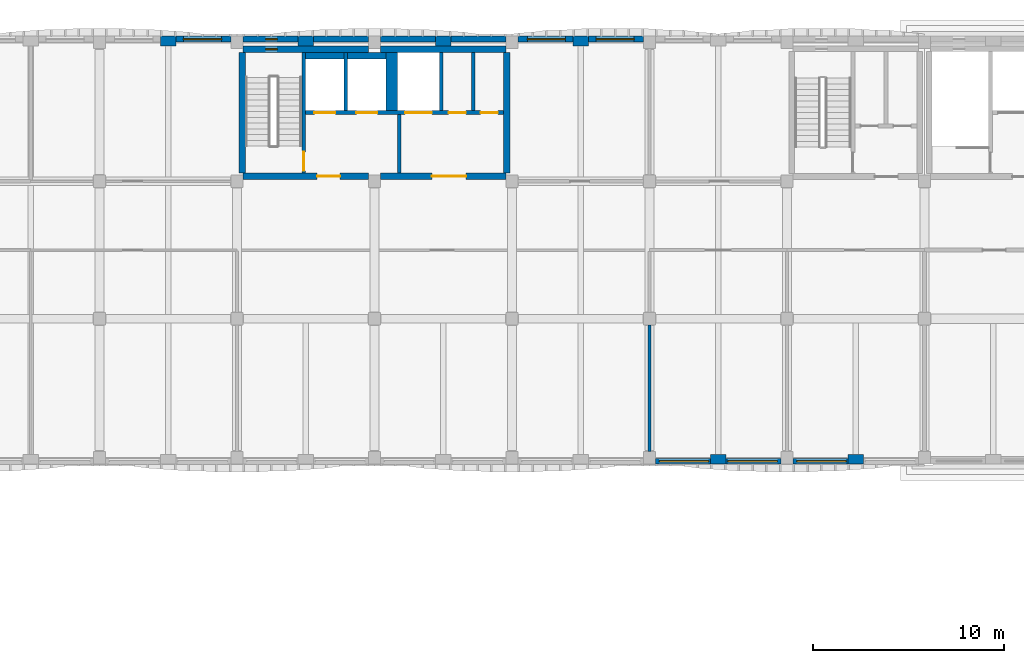
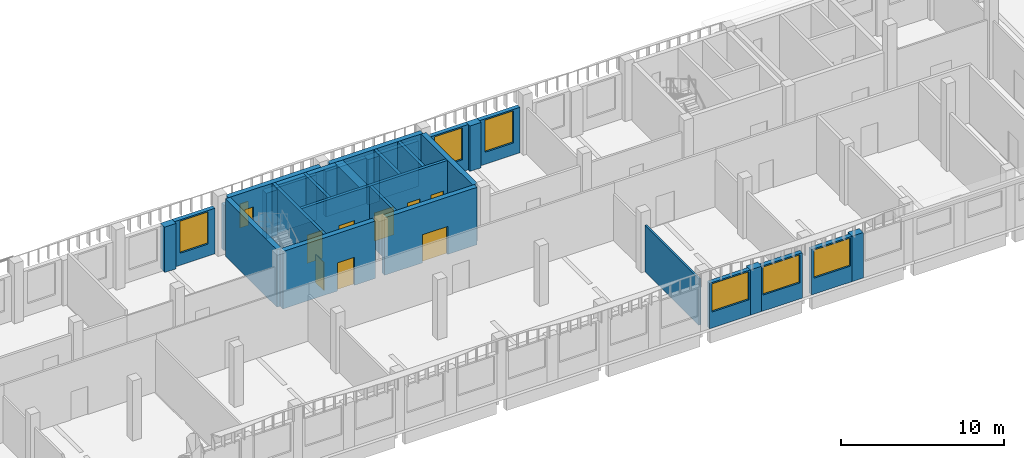
# One storey, part 29 of 58: 32 walls, 8 doors, 8 windows, 16 openings.
"""IFC4 building model written with IfcOpenShell, lengths in metres."""

from ifc_helpers import new_model, si_unit, direction, frame, frame_2d, origin, place, context, subcontext, project, spatial, rectangle, extrude, material, layer, layer_set, type_object, element, fill, save


model = new_model("IFC4")

# Units and contexts
model_context = context("Model", 3, precision=1e-05, world=origin(), true_north=direction((0.0, 1.0)))
body_context = subcontext(model_context, "Body", "Model", "MODEL_VIEW")
ifc_project = project(units=[si_unit("LENGTHUNIT", "METRE"), si_unit("AREAUNIT", "SQUARE_METRE"), si_unit("VOLUMEUNIT", "CUBIC_METRE"), si_unit("PLANEANGLEUNIT", "RADIAN"), si_unit("MASSUNIT", "GRAM", prefix="KILO")], contexts=[model_context])

# Site, building, storey
site_placement = place(None, origin())
site = spatial("IfcSite", under=ifc_project, at=site_placement, CompositionType="ELEMENT")
building_placement = place(site_placement, origin())
building = spatial("IfcBuilding", under=site, at=building_placement, Name="Ussher Court Research Institute", CompositionType="ELEMENT")
storey_placement = place(building_placement, frame((0.0, 0.0, 9.89990234375)))
storey = spatial("IfcBuildingStorey", under=building, at=storey_placement, Name="L02", CompositionType="ELEMENT", Elevation=9.89990234375)

# Wall, opening, window
ifc_material_1 = material(Name="Blockwork with cream render", Category="masonry")
ifc_layer_1 = layer(ifc_material_1, 0.300048828125)
ifc_layer_set_1 = layer_set([ifc_layer_1], Name="Blockwork with cream render")
wall_type_1 = type_object("IfcWallType", Name="External wall 300 cream render", PredefinedType="SOLIDWALL", material=ifc_layer_set_1)
wall_1_placement = place(storey_placement, frame((43.0, 90.64990234375, 0.0), z_axis=(0.0, 0.0, 1.0), x_axis=(1.0, 0.0, 0.0)))
wall_1 = element("IfcWall", 1, at=wall_1_placement, inside=storey, type_object=wall_type_1, Name="External wall EW1 L02", PredefinedType="SOLIDWALL", context=body_context, shape_type="SweptSolid", body=[
    extrude(rectangle(XDim=2.875, YDim=0.300048828125, at=frame_2d((1.4375, 0.0))), origin(), (0.0, 0.0, 1.0), 3.400146484375),
])
opening_1_placement = place(wall_1_placement, frame((0.39990234375, 0.0, 0.89990234375)))
opening_1 = element("IfcOpeningElement", 2, at=opening_1_placement, cuts=wall_1, Name="Opening W14", PredefinedType="OPENING", context=body_context, shape_type="SweptSolid", body=[
    extrude(rectangle(XDim=2.0, YDim=2.39990234375, at=frame_2d((1.0, 1.199951171875))), frame((0.0, 0.16015625, 0.0), z_axis=(0.0, -1.0, 0.0), x_axis=(1.0, 0.0, 0.0)), (0.0, 0.0, 1.0), 0.320068359375),
])
ifc_material_2 = material(Name="Bronze anodised aluminium with double glazing", Category="aluminium")
window_type_1 = type_object("IfcWindowType", Name="Seminar and write-up office window 2000x2400", PartitioningType="DOUBLE_PANEL_VERTICAL", PredefinedType="WINDOW", material=ifc_material_2)
window_1_placement = place(opening_1_placement, origin())
window_1 = element("IfcWindow", 3, at=window_1_placement, inside=storey, type_object=window_type_1, Name="Window W14 L02", OverallHeight=2.39990234375, OverallWidth=2.0, PartitioningType="SINGLE_PANEL", PredefinedType="WINDOW", context=body_context, shape_type="SweptSolid", body=[
    extrude(rectangle(XDim=2.0, YDim=2.39990234375, at=frame_2d((1.0, 1.199951171875))), frame((0.0, 0.030029296875, 0.0), z_axis=(0.0, -1.0, 0.0), x_axis=(1.0, 0.0, 0.0)), (0.0, 0.0, 1.0), 0.06005859375),
])
fill(opening_1, window_1)

wall_2_placement = place(storey_placement, frame((60.925048828125, 90.64990234375, 0.0), z_axis=(0.0, 0.0, 1.0), x_axis=(1.0, 0.0, 0.0)))
wall_2 = element("IfcWall", 4, at=wall_2_placement, inside=storey, type_object=wall_type_1, Name="External wall EW1 L02", PredefinedType="SOLIDWALL", context=body_context, shape_type="SweptSolid", body=[
    extrude(rectangle(XDim=2.875, YDim=0.300048828125, at=frame_2d((1.4375, 0.0))), origin(), (0.0, 0.0, 1.0), 3.400146484375),
])
opening_2_placement = place(wall_2_placement, frame((0.47509765625, 0.0, 0.89990234375)))
opening_2 = element("IfcOpeningElement", 5, at=opening_2_placement, cuts=wall_2, Name="Opening W14", PredefinedType="OPENING", context=body_context, shape_type="SweptSolid", body=[
    extrude(rectangle(XDim=2.0, YDim=2.39990234375, at=frame_2d((1.0, 1.199951171875))), frame((0.0, 0.16015625, 0.0), z_axis=(0.0, -1.0, 0.0), x_axis=(1.0, 0.0, 0.0)), (0.0, 0.0, 1.0), 0.320068359375),
])
window_2_placement = place(opening_2_placement, origin())
window_2 = element("IfcWindow", 6, at=window_2_placement, inside=storey, type_object=window_type_1, Name="Window W14 L02", OverallHeight=2.39990234375, OverallWidth=2.0, PartitioningType="SINGLE_PANEL", PredefinedType="WINDOW", context=body_context, shape_type="SweptSolid", body=[
    extrude(rectangle(XDim=2.0, YDim=2.39990234375, at=frame_2d((1.0, 1.199951171875))), frame((0.0, 0.030029296875, 0.0), z_axis=(0.0, -1.0, 0.0), x_axis=(1.0, 0.0, 0.0)), (0.0, 0.0, 1.0), 0.06005859375),
])
fill(opening_2, window_2)

wall_3_placement = place(storey_placement, frame((64.60009765625, 90.64990234375, 0.0), z_axis=(0.0, 0.0, 1.0), x_axis=(1.0, 0.0, 0.0)))
wall_3 = element("IfcWall", 7, at=wall_3_placement, inside=storey, type_object=wall_type_1, Name="External wall EW1 L02", PredefinedType="SOLIDWALL", context=body_context, shape_type="SweptSolid", body=[
    extrude(rectangle(XDim=2.875, YDim=0.300048828125, at=frame_2d((1.4375, 0.0))), origin(), (0.0, 0.0, 1.0), 3.400146484375),
])
opening_3_placement = place(wall_3_placement, frame((0.39990234375, 0.0, 0.89990234375)))
opening_3 = element("IfcOpeningElement", 8, at=opening_3_placement, cuts=wall_3, Name="Opening W14", PredefinedType="OPENING", context=body_context, shape_type="SweptSolid", body=[
    extrude(rectangle(XDim=2.0, YDim=2.39990234375, at=frame_2d((1.0, 1.199951171875))), frame((0.0, 0.16015625, 0.0), z_axis=(0.0, -1.0, 0.0), x_axis=(1.0, 0.0, 0.0)), (0.0, 0.0, 1.0), 0.320068359375),
])
window_3_placement = place(opening_3_placement, origin())
window_3 = element("IfcWindow", 9, at=window_3_placement, inside=storey, type_object=window_type_1, Name="Window W14 L02", OverallHeight=2.39990234375, OverallWidth=2.0, PartitioningType="SINGLE_PANEL", PredefinedType="WINDOW", context=body_context, shape_type="SweptSolid", body=[
    extrude(rectangle(XDim=2.0, YDim=2.39990234375, at=frame_2d((1.0, 1.199951171875))), frame((0.0, 0.030029296875, 0.0), z_axis=(0.0, -1.0, 0.0), x_axis=(1.0, 0.0, 0.0)), (0.0, 0.0, 1.0), 0.06005859375),
])
fill(opening_3, window_3)

wall_4_placement = place(storey_placement, frame((78.199951171875, 68.550048828125, 0.0), z_axis=(0.0, 0.0, 1.0), x_axis=(-1.0, 0.0, 0.0)))
wall_4 = element("IfcWall", 10, at=wall_4_placement, inside=storey, type_object=wall_type_1, Name="External wall EW1 L02", PredefinedType="SOLIDWALL", context=body_context, shape_type="SweptSolid", body=[
    extrude(rectangle(XDim=2.875, YDim=0.300048828125, at=frame_2d((1.4375, 0.0))), origin(), (0.0, 0.0, 1.0), 3.400146484375),
])
opening_4_placement = place(wall_4_placement, frame((0.10009765625, 0.0, 1.199951171875)))
opening_4 = element("IfcOpeningElement", 11, at=opening_4_placement, cuts=wall_4, Name="Opening W08", PredefinedType="OPENING", context=body_context, shape_type="SweptSolid", body=[
    extrude(rectangle(XDim=2.60009765625, YDim=2.10009765625, at=frame_2d((1.300048828125, 1.050048828125))), frame((0.0, 0.16015625, 0.0), z_axis=(0.0, -1.0, 0.0), x_axis=(1.0, 0.0, 0.0)), (0.0, 0.0, 1.0), 0.320068359375),
])
ifc_material_3 = material(Name="Bronze anodised aluminium with double glazing", Category="aluminium")
window_type_2 = type_object("IfcWindowType", Name="Dry laboratory bay window 2600x2100", PartitioningType="DOUBLE_PANEL_VERTICAL", PredefinedType="WINDOW", material=ifc_material_3)
window_4_placement = place(opening_4_placement, origin())
window_4 = element("IfcWindow", 12, at=window_4_placement, inside=storey, type_object=window_type_2, Name="Window W08 L02", OverallHeight=2.10009765625, OverallWidth=2.60009765625, PartitioningType="SINGLE_PANEL", PredefinedType="WINDOW", context=body_context, shape_type="SweptSolid", body=[
    extrude(rectangle(XDim=2.60009765625, YDim=2.10009765625, at=frame_2d((1.300048828125, 1.050048828125))), frame((0.0, 0.030029296875, 0.0), z_axis=(0.0, -1.0, 0.0), x_axis=(1.0, 0.0, 0.0)), (0.0, 0.0, 1.0), 0.06005859375),
])
fill(opening_4, window_4)

wall_5_placement = place(storey_placement, frame((74.675048828125, 68.550048828125, 0.0), z_axis=(0.0, 0.0, 1.0), x_axis=(-1.0, 0.0, 0.0)))
wall_5 = element("IfcWall", 13, at=wall_5_placement, inside=storey, type_object=wall_type_1, Name="External wall EW1 L02", PredefinedType="SOLIDWALL", context=body_context, shape_type="SweptSolid", body=[
    extrude(rectangle(XDim=2.875, YDim=0.300048828125, at=frame_2d((1.4375, 0.0))), origin(), (0.0, 0.0, 1.0), 3.400146484375),
])
opening_5_placement = place(wall_5_placement, frame((0.175048828125, 0.0, 1.199951171875)))
opening_5 = element("IfcOpeningElement", 14, at=opening_5_placement, cuts=wall_5, Name="Opening W08", PredefinedType="OPENING", context=body_context, shape_type="SweptSolid", body=[
    extrude(rectangle(XDim=2.60009765625, YDim=2.10009765625, at=frame_2d((1.300048828125, 1.050048828125))), frame((0.0, 0.16015625, 0.0), z_axis=(0.0, -1.0, 0.0), x_axis=(1.0, 0.0, 0.0)), (0.0, 0.0, 1.0), 0.320068359375),
])
window_5_placement = place(opening_5_placement, origin())
window_5 = element("IfcWindow", 15, at=window_5_placement, inside=storey, type_object=window_type_2, Name="Window W08 L02", OverallHeight=2.10009765625, OverallWidth=2.60009765625, PartitioningType="SINGLE_PANEL", PredefinedType="WINDOW", context=body_context, shape_type="SweptSolid", body=[
    extrude(rectangle(XDim=2.60009765625, YDim=2.10009765625, at=frame_2d((1.300048828125, 1.050048828125))), frame((0.0, 0.030029296875, 0.0), z_axis=(0.0, -1.0, 0.0), x_axis=(1.0, 0.0, 0.0)), (0.0, 0.0, 1.0), 0.06005859375),
])
fill(opening_5, window_5)

wall_6_placement = place(storey_placement, frame((71.0, 68.550048828125, 0.0), z_axis=(0.0, 0.0, 1.0), x_axis=(-1.0, 0.0, 0.0)))
wall_6 = element("IfcWall", 16, at=wall_6_placement, inside=storey, type_object=wall_type_1, Name="External wall EW1 L02", PredefinedType="SOLIDWALL", context=body_context, shape_type="SweptSolid", body=[
    extrude(rectangle(XDim=2.875, YDim=0.300048828125, at=frame_2d((1.4375, 0.0))), origin(), (0.0, 0.0, 1.0), 3.400146484375),
])
opening_6_placement = place(wall_6_placement, frame((0.10009765625, 0.0, 1.199951171875)))
opening_6 = element("IfcOpeningElement", 17, at=opening_6_placement, cuts=wall_6, Name="Opening W08", PredefinedType="OPENING", context=body_context, shape_type="SweptSolid", body=[
    extrude(rectangle(XDim=2.60009765625, YDim=2.10009765625, at=frame_2d((1.300048828125, 1.050048828125))), frame((0.0, 0.16015625, 0.0), z_axis=(0.0, -1.0, 0.0), x_axis=(1.0, 0.0, 0.0)), (0.0, 0.0, 1.0), 0.320068359375),
])
window_6_placement = place(opening_6_placement, origin())
window_6 = element("IfcWindow", 18, at=window_6_placement, inside=storey, type_object=window_type_2, Name="Window W08 L02", OverallHeight=2.10009765625, OverallWidth=2.60009765625, PartitioningType="SINGLE_PANEL", PredefinedType="WINDOW", context=body_context, shape_type="SweptSolid", body=[
    extrude(rectangle(XDim=2.60009765625, YDim=2.10009765625, at=frame_2d((1.300048828125, 1.050048828125))), frame((0.0, 0.030029296875, 0.0), z_axis=(0.0, -1.0, 0.0), x_axis=(1.0, 0.0, 0.0)), (0.0, 0.0, 1.0), 0.06005859375),
])
fill(opening_6, window_6)

ifc_material_4 = material(Name="Limestone facing on blockwork", Category="masonry")
ifc_layer_2 = layer(ifc_material_4, 0.300048828125)
ifc_layer_set_2 = layer_set([ifc_layer_2], Name="Limestone facing on blockwork")
wall_type_2 = type_object("IfcWallType", Name="External wall 300 stair enclosure", PredefinedType="SOLIDWALL", material=ifc_layer_set_2)
wall_7_placement = place(storey_placement, frame((46.52490234375, 90.64990234375, 0.0), z_axis=(0.0, 0.0, 1.0), x_axis=(1.0, 0.0, 0.0)))
wall_7 = element("IfcWall", 19, at=wall_7_placement, inside=storey, type_object=wall_type_2, Name="External wall EW5 L02", PredefinedType="SOLIDWALL", context=body_context, shape_type="SweptSolid", body=[
    extrude(rectangle(XDim=2.875, YDim=0.300048828125, at=frame_2d((1.4375, 0.0))), origin(), (0.0, 0.0, 1.0), 3.400146484375),
])
opening_7_placement = place(wall_7_placement, frame((1.175048828125, 0.0, 1.199951171875)))
opening_7 = element("IfcOpeningElement", 20, at=opening_7_placement, cuts=wall_7, Name="Opening W25", PredefinedType="OPENING", context=body_context, shape_type="SweptSolid", body=[
    extrude(rectangle(XDim=0.60009765625, YDim=1.800048828125, at=frame_2d((0.300048828125, 0.89990234375))), frame((0.0, 0.16015625, 0.0), z_axis=(0.0, -1.0, 0.0), x_axis=(1.0, 0.0, 0.0)), (0.0, 0.0, 1.0), 0.320068359375),
])
ifc_material_5 = material(Name="Bronze anodised aluminium with double glazing", Category="aluminium")
window_type_3 = type_object("IfcWindowType", Name="Stair light slot window 600x1800 fire-resisting glazing", PartitioningType="SINGLE_PANEL", PredefinedType="WINDOW", material=ifc_material_5)
window_7_placement = place(opening_7_placement, origin())
window_7 = element("IfcWindow", 21, at=window_7_placement, inside=storey, type_object=window_type_3, Name="Window W25 L02", OverallHeight=1.800048828125, OverallWidth=0.60009765625, PartitioningType="SINGLE_PANEL", PredefinedType="WINDOW", context=body_context, shape_type="SweptSolid", body=[
    extrude(rectangle(XDim=0.60009765625, YDim=1.800048828125, at=frame_2d((0.300048828125, 0.89990234375))), frame((0.0, 0.030029296875, 0.0), z_axis=(0.0, -1.0, 0.0), x_axis=(1.0, 0.0, 0.0)), (0.0, 0.0, 1.0), 0.06005859375),
])
fill(opening_7, window_7)

# Walls
for number, where, z_axis, x_axis, name in (
    (22, (50.199951171875, 90.64990234375, 0.0), (0.0, 0.0, 1.0), (1.0, 0.0, 0.0), "External wall EW5 L02"),
    (23, (53.72509765625, 90.64990234375, 0.0), (0.0, 0.0, 1.0), (1.0, 0.0, 0.0), "External wall EW5 L02"),
    (24, (57.39990234375, 90.64990234375, 0.0), (0.0, 0.0, 1.0), (1.0, 0.0, 0.0), "External wall EW5 L02"),
):
    element("IfcWall", number, at=place(storey_placement, frame(where, z_axis=z_axis, x_axis=x_axis)), inside=storey, type_object=wall_type_2, Name=name, PredefinedType="SOLIDWALL", context=body_context, shape_type="SweptSolid", body=[
        extrude(rectangle(XDim=2.875, YDim=0.300048828125, at=frame_2d((1.4375, 0.0))), origin(), (0.0, 0.0, 1.0), 3.400146484375),
    ])
ifc_material_6 = material(Name="Plastered blockwork", Category="masonry")
ifc_layer_3 = layer(ifc_material_6, 0.139892578125)
ifc_layer_set_3 = layer_set([ifc_layer_3], Name="Plastered blockwork")
wall_type_3 = type_object("IfcWallType", Name="Laboratory blockwork partition 140", PredefinedType="PARTITIONING", material=ifc_layer_set_3)
wall_8_placement = place(storey_placement, frame((67.800048828125, 69.050048828125, 0.0), z_axis=(0.0, 0.0, 1.0), x_axis=(0.0, 1.0, 0.0)))
element("IfcWall", 25, at=wall_8_placement, inside=storey, type_object=wall_type_3, Name="Partition", PredefinedType="PARTITIONING", context=body_context, shape_type="SweptSolid", body=[
    extrude(rectangle(XDim=6.625, YDim=0.139892578125, at=frame_2d((3.3125, 0.0))), origin(), (0.0, 0.0, 1.0), 3.47021484375),
])
ifc_material_7 = material(Name="Blockwork with cream render", Category="masonry")
ifc_layer_4 = layer(ifc_material_7, 0.5)
ifc_layer_set_4 = layer_set([ifc_layer_4], Name="Blockwork with cream render")
wall_type_4 = type_object("IfcWallType", Name="Pier 800x500 cream render", PredefinedType="SOLIDWALL", material=ifc_layer_set_4)
for number, where, z_axis, x_axis, name in (
    (26, (42.199951171875, 90.550048828125, 0.0), (0.0, 0.0, 1.0), (1.0, 0.0, 0.0), "Pier PR1 L02"),
    (27, (49.39990234375, 90.550048828125, 0.0), (0.0, 0.0, 1.0), (1.0, 0.0, 0.0), "Pier PR1 L02"),
):
    element("IfcWall", number, at=place(storey_placement, frame(where, z_axis=z_axis, x_axis=x_axis)), inside=storey, type_object=wall_type_4, Name=name, PredefinedType="SOLIDWALL", context=body_context, shape_type="SweptSolid", body=[
        extrude(rectangle(XDim=0.800048828125, YDim=0.5, at=frame_2d((0.39990234375, 0.0))), origin(), (0.0, 0.0, 1.0), 3.400146484375),
    ])
wall_9_placement = place(storey_placement, frame((56.60009765625, 90.550048828125, 0.0), z_axis=(0.0, 0.0, 1.0), x_axis=(1.0, 0.0, 0.0)))
element("IfcWall", 28, at=wall_9_placement, inside=storey, type_object=wall_type_4, Name="Pier PR1 L02", PredefinedType="SOLIDWALL", context=body_context, shape_type="SweptSolid", body=[
    extrude(rectangle(XDim=0.7998046875, YDim=0.5, at=frame_2d((0.39990234375, 0.0))), origin(), (0.0, 0.0, 1.0), 3.400146484375),
])
for number, where, z_axis, x_axis, name in (
    (29, (63.800048828125, 90.550048828125, 0.0), (0.0, 0.0, 1.0), (1.0, 0.0, 0.0), "Pier PR1 L02"),
    (30, (79.0, 68.64990234375, 0.0), (0.0, 0.0, 1.0), (-1.0, 0.0, 0.0), "Pier PR1 L02"),
    (31, (71.800048828125, 68.64990234375, 0.0), (0.0, 0.0, 1.0), (-1.0, 0.0, 0.0), "Pier PR1 L02"),
):
    element("IfcWall", number, at=place(storey_placement, frame(where, z_axis=z_axis, x_axis=x_axis)), inside=storey, type_object=wall_type_4, Name=name, PredefinedType="SOLIDWALL", context=body_context, shape_type="SweptSolid", body=[
        extrude(rectangle(XDim=0.800048828125, YDim=0.5, at=frame_2d((0.39990234375, 0.0))), origin(), (0.0, 0.0, 1.0), 3.400146484375),
    ])

# Wall, opening, door
ifc_material_8 = material(Name="Concrete C35/45", Category="concrete")
ifc_layer_5 = layer(ifc_material_8, 0.199951171875)
ifc_layer_set_5 = layer_set([ifc_layer_5], Name="Concrete C35/45")
wall_type_5 = type_object("IfcWallType", Name="RC core wall 200", PredefinedType="SHEAR", material=ifc_layer_set_5)
wall_10_placement = place(storey_placement, frame((49.699951171875, 83.64990234375, 0.0), z_axis=(0.0, 0.0, 1.0), x_axis=(0.0, 1.0, 0.0)))
wall_10 = element("IfcWall", 32, at=wall_10_placement, inside=storey, type_object=wall_type_5, Name="Core wall D2", PredefinedType="SHEAR", context=body_context, shape_type="SweptSolid", body=[
    extrude(rectangle(XDim=6.300048828125, YDim=0.199951171875, at=frame_2d((3.14990234375, 0.0))), origin(), (0.0, 0.0, 1.0), 4.300048828125),
])
opening_8_placement = place(wall_10_placement, frame((0.10009765625, 0.0, 0.0)))
opening_8 = element("IfcOpeningElement", 33, at=opening_8_placement, cuts=wall_10, Name="Opening D02022", PredefinedType="OPENING", context=body_context, shape_type="SweptSolid", body=[
    extrude(rectangle(XDim=1.0, YDim=2.10009765625, at=frame_2d((0.5, 1.050048828125))), frame((0.0, 0.10986328125, 0.0), z_axis=(0.0, -1.0, 0.0), x_axis=(1.0, 0.0, 0.0)), (0.0, 0.0, 1.0), 0.219970703125),
])
ifc_material_9 = material(Name="Painted steel faced fire door", Category="steel")
door_type_1 = type_object("IfcDoorType", Name="Fire door 1000x2100 FD60", OperationType="NOTDEFINED", PredefinedType="DOOR", material=ifc_material_9)
door_1_placement = place(opening_8_placement, origin())
door_1 = element("IfcDoor", 34, at=door_1_placement, inside=storey, type_object=door_type_1, Name="Door D02022", OperationType="SINGLE_SWING_LEFT", OverallHeight=2.10009765625, OverallWidth=1.0, PredefinedType="DOOR", context=body_context, shape_type="SweptSolid", body=[
    extrude(rectangle(XDim=1.0, YDim=2.10009765625, at=frame_2d((0.5, 1.050048828125))), frame((0.0, 0.02490234375, 0.0), z_axis=(0.0, -1.0, 0.0), x_axis=(1.0, 0.0, 0.0)), (0.0, 0.0, 1.0), 0.050048828125),
])
fill(opening_8, door_1)

# Wall
wall_11_placement = place(storey_placement, frame((54.699951171875, 83.64990234375, 0.0), z_axis=(0.0, 0.0, 1.0), x_axis=(0.0, 1.0, 0.0)))
element("IfcWall", 35, at=wall_11_placement, inside=storey, type_object=wall_type_5, Name="Core wall D2", PredefinedType="SHEAR", context=body_context, shape_type="SweptSolid", body=[
    extrude(rectangle(XDim=3.050048828125, YDim=0.199951171875, at=frame_2d((1.52490234375, 0.0))), origin(), (0.0, 0.0, 1.0), 4.300048828125),
])

# Wall, openings, doors
wall_12_placement = place(storey_placement, frame((60.14990234375, 86.800048828125, 0.0), z_axis=(0.0, 0.0, 1.0), x_axis=(-1.0, 0.0, 0.0)))
wall_12 = element("IfcWall", 36, at=wall_12_placement, inside=storey, type_object=wall_type_5, Name="Core wall D2", PredefinedType="SHEAR", context=body_context, shape_type="SweptSolid", body=[
    extrude(rectangle(XDim=10.349853515625, YDim=0.199951171875, at=frame_2d((5.1748046875, 0.0))), origin(), (0.0, 0.0, 1.0), 4.300048828125),
])
opening_9_placement = place(wall_12_placement, frame((8.800048828125, 0.0, 0.0)))
opening_9 = element("IfcOpeningElement", 37, at=opening_9_placement, cuts=wall_12, Name="Opening LD31", PredefinedType="OPENING", context=body_context, shape_type="SweptSolid", body=[
    extrude(rectangle(XDim=1.10009765625, YDim=2.10009765625, at=frame_2d((0.550048828125, 1.050048828125))), frame((0.0, 0.10986328125, 0.0), z_axis=(0.0, -1.0, 0.0), x_axis=(1.0, 0.0, 0.0)), (0.0, 0.0, 1.0), 0.219970703125),
])
opening_10_placement = place(wall_12_placement, frame((6.60009765625, 0.0, 0.0)))
opening_10 = element("IfcOpeningElement", 38, at=opening_10_placement, cuts=wall_12, Name="Opening LD32", PredefinedType="OPENING", context=body_context, shape_type="SweptSolid", body=[
    extrude(rectangle(XDim=1.10009765625, YDim=2.10009765625, at=frame_2d((0.550048828125, 1.050048828125))), frame((0.0, 0.10986328125, 0.0), z_axis=(0.0, -1.0, 0.0), x_axis=(1.0, 0.0, 0.0)), (0.0, 0.0, 1.0), 0.219970703125),
])
opening_11_placement = place(wall_12_placement, frame((3.75, 0.0, 0.0)))
opening_11 = element("IfcOpeningElement", 39, at=opening_11_placement, cuts=wall_12, Name="Opening LD33", PredefinedType="OPENING", context=body_context, shape_type="SweptSolid", body=[
    extrude(rectangle(XDim=1.39990234375, YDim=2.10009765625, at=frame_2d((0.699951171875, 1.050048828125))), frame((0.0, 0.10986328125, 0.0), z_axis=(0.0, -1.0, 0.0), x_axis=(1.0, 0.0, 0.0)), (0.0, 0.0, 1.0), 0.219970703125),
])
opening_12_placement = place(wall_12_placement, frame((1.96240234375, 0.0, 0.0)))
opening_12 = element("IfcOpeningElement", 40, at=opening_12_placement, cuts=wall_12, Name="Opening D02026", PredefinedType="OPENING", context=body_context, shape_type="SweptSolid", body=[
    extrude(rectangle(XDim=0.89990234375, YDim=2.10009765625, at=frame_2d((0.449951171875, 1.050048828125))), frame((0.0, 0.10986328125, 0.0), z_axis=(0.0, -1.0, 0.0), x_axis=(1.0, 0.0, 0.0)), (0.0, 0.0, 1.0), 0.219970703125),
])
opening_13_placement = place(wall_12_placement, frame((0.28759765625, 0.0, 0.0)))
opening_13 = element("IfcOpeningElement", 41, at=opening_13_placement, cuts=wall_12, Name="Opening D02027", PredefinedType="OPENING", context=body_context, shape_type="SweptSolid", body=[
    extrude(rectangle(XDim=0.89990234375, YDim=2.10009765625, at=frame_2d((0.449951171875, 1.050048828125))), frame((0.0, 0.10986328125, 0.0), z_axis=(0.0, -1.0, 0.0), x_axis=(1.0, 0.0, 0.0)), (0.0, 0.0, 1.0), 0.219970703125),
])
ifc_material_10 = material(Name="Painted steel faced fire door", Category="steel")
door_type_2 = type_object("IfcDoorType", Name="Fire door 900x2100 FD60", OperationType="NOTDEFINED", PredefinedType="DOOR", material=ifc_material_10)
door_2_placement = place(opening_12_placement, origin())
door_2 = element("IfcDoor", 42, at=door_2_placement, inside=storey, type_object=door_type_2, Name="Door D02026", OperationType="SINGLE_SWING_LEFT", OverallHeight=2.10009765625, OverallWidth=0.89990234375, PredefinedType="DOOR", context=body_context, shape_type="SweptSolid", body=[
    extrude(rectangle(XDim=0.89990234375, YDim=2.10009765625, at=frame_2d((0.449951171875, 1.050048828125))), frame((0.0, 0.02490234375, 0.0), z_axis=(0.0, -1.0, 0.0), x_axis=(1.0, 0.0, 0.0)), (0.0, 0.0, 1.0), 0.050048828125),
])
fill(opening_12, door_2)
door_3_placement = place(opening_13_placement, origin())
door_3 = element("IfcDoor", 43, at=door_3_placement, inside=storey, type_object=door_type_2, Name="Door D02027", OperationType="SINGLE_SWING_LEFT", OverallHeight=2.10009765625, OverallWidth=0.89990234375, PredefinedType="DOOR", context=body_context, shape_type="SweptSolid", body=[
    extrude(rectangle(XDim=0.89990234375, YDim=2.10009765625, at=frame_2d((0.449951171875, 1.050048828125))), frame((0.0, 0.02490234375, 0.0), z_axis=(0.0, -1.0, 0.0), x_axis=(1.0, 0.0, 0.0)), (0.0, 0.0, 1.0), 0.050048828125),
])
fill(opening_13, door_3)
ifc_material_11 = material(Name="Stainless steel lift door", Category="steel")
door_type_3 = type_object("IfcDoorType", Name="Lift landing door 1100x2100 sliding", OperationType="DOUBLE_DOOR_SLIDING", PredefinedType="DOOR", material=ifc_material_11)
door_4_placement = place(opening_9_placement, origin())
door_4 = element("IfcDoor", 44, at=door_4_placement, inside=storey, type_object=door_type_3, Name="Landing door D2-1 L02", OperationType="DOUBLE_DOOR_SLIDING", OverallHeight=2.10009765625, OverallWidth=1.10009765625, PredefinedType="DOOR", context=body_context, shape_type="SweptSolid", body=[
    extrude(rectangle(XDim=1.10009765625, YDim=2.10009765625, at=frame_2d((0.550048828125, 1.050048828125))), frame((0.0, 0.02490234375, 0.0), z_axis=(0.0, -1.0, 0.0), x_axis=(1.0, 0.0, 0.0)), (0.0, 0.0, 1.0), 0.050048828125),
])
fill(opening_9, door_4)
door_5_placement = place(opening_10_placement, origin())
door_5 = element("IfcDoor", 45, at=door_5_placement, inside=storey, type_object=door_type_3, Name="Landing door D2-2 L02", OperationType="DOUBLE_DOOR_SLIDING", OverallHeight=2.10009765625, OverallWidth=1.10009765625, PredefinedType="DOOR", context=body_context, shape_type="SweptSolid", body=[
    extrude(rectangle(XDim=1.10009765625, YDim=2.10009765625, at=frame_2d((0.550048828125, 1.050048828125))), frame((0.0, 0.02490234375, 0.0), z_axis=(0.0, -1.0, 0.0), x_axis=(1.0, 0.0, 0.0)), (0.0, 0.0, 1.0), 0.050048828125),
])
fill(opening_10, door_5)
ifc_material_12 = material(Name="Stainless steel lift door", Category="steel")
door_type_4 = type_object("IfcDoorType", Name="Lift landing door 1400x2100 sliding", OperationType="DOUBLE_DOOR_SLIDING", PredefinedType="DOOR", material=ifc_material_12)
door_6_placement = place(opening_11_placement, origin())
door_6 = element("IfcDoor", 46, at=door_6_placement, inside=storey, type_object=door_type_4, Name="Landing door D2-3 L02", OperationType="DOUBLE_DOOR_SLIDING", OverallHeight=2.10009765625, OverallWidth=1.39990234375, PredefinedType="DOOR", context=body_context, shape_type="SweptSolid", body=[
    extrude(rectangle(XDim=1.39990234375, YDim=2.10009765625, at=frame_2d((0.699951171875, 1.050048828125))), frame((0.0, 0.02490234375, 0.0), z_axis=(0.0, -1.0, 0.0), x_axis=(1.0, 0.0, 0.0)), (0.0, 0.0, 1.0), 0.050048828125),
])
fill(opening_11, door_6)

# Walls
for number, where, z_axis, x_axis, name in (
    (47, (51.89990234375, 86.89990234375, 0.0), (0.0, 0.0, 1.0), (0.0, 1.0, 0.0), "Core wall D2"),
    (48, (56.89990234375, 86.89990234375, 0.0), (0.0, 0.0, 1.0), (0.0, 1.0, 0.0), "Core wall D2"),
    (49, (58.574951171875, 86.89990234375, 0.0), (0.0, 0.0, 1.0), (0.0, 1.0, 0.0), "Core wall D2"),
):
    element("IfcWall", number, at=place(storey_placement, frame(where, z_axis=z_axis, x_axis=x_axis)), inside=storey, type_object=wall_type_5, Name=name, PredefinedType="SHEAR", context=body_context, shape_type="SweptSolid", body=[
        extrude(rectangle(XDim=3.050048828125, YDim=0.199951171875, at=frame_2d((1.52490234375, 0.0))), origin(), (0.0, 0.0, 1.0), 4.300048828125),
    ])

# Wall, opening, door
ifc_material_13 = material(Name="Concrete C35/45", Category="concrete")
ifc_layer_6 = layer(ifc_material_13, 0.35009765625)
ifc_layer_set_6 = layer_set([ifc_layer_6], Name="Concrete C35/45")
wall_type_6 = type_object("IfcWallType", Name="RC core wall 350", PredefinedType="SHEAR", material=ifc_layer_set_6)
wall_13_placement = place(storey_placement, frame((46.52490234375, 83.47509765625, 0.0), z_axis=(0.0, 0.0, 1.0), x_axis=(1.0, 0.0, 0.0)))
wall_13 = element("IfcWall", 50, at=wall_13_placement, inside=storey, type_object=wall_type_6, Name="Core wall D2", PredefinedType="SHEAR", context=body_context, shape_type="SweptSolid", body=[
    extrude(rectangle(XDim=6.550048828125, YDim=0.35009765625, at=frame_2d((3.27490234375, 0.0))), origin(), (0.0, 0.0, 1.0), 4.300048828125),
])
opening_14_placement = place(wall_13_placement, frame((3.875, 0.0, 0.0)))
opening_14 = element("IfcOpeningElement", 51, at=opening_14_placement, cuts=wall_13, Name="Opening D02023", PredefinedType="OPENING", context=body_context, shape_type="SweptSolid", body=[
    extrude(rectangle(XDim=1.199951171875, YDim=2.10009765625, at=frame_2d((0.60009765625, 1.050048828125))), frame((0.0, 0.18505859375, 0.0), z_axis=(0.0, -1.0, 0.0), x_axis=(1.0, 0.0, 0.0)), (0.0, 0.0, 1.0), 0.3701171875),
])
ifc_material_14 = material(Name="Painted steel faced fire door", Category="steel")
door_type_5 = type_object("IfcDoorType", Name="Fire door 1200x2100 FD60", OperationType="NOTDEFINED", PredefinedType="DOOR", material=ifc_material_14)
door_7_placement = place(opening_14_placement, origin())
door_7 = element("IfcDoor", 52, at=door_7_placement, inside=storey, type_object=door_type_5, Name="Door D02023", OperationType="SINGLE_SWING_RIGHT", OverallHeight=2.10009765625, OverallWidth=1.199951171875, PredefinedType="DOOR", context=body_context, shape_type="SweptSolid", body=[
    extrude(rectangle(XDim=1.199951171875, YDim=2.10009765625, at=frame_2d((0.60009765625, 1.050048828125))), frame((0.0, 0.02490234375, 0.0), z_axis=(0.0, -1.0, 0.0), x_axis=(1.0, 0.0, 0.0)), (0.0, 0.0, 1.0), 0.050048828125),
])
fill(opening_14, door_7)

wall_14_placement = place(storey_placement, frame((53.72509765625, 83.47509765625, 0.0), z_axis=(0.0, 0.0, 1.0), x_axis=(1.0, 0.0, 0.0)))
wall_14 = element("IfcWall", 53, at=wall_14_placement, inside=storey, type_object=wall_type_6, Name="Core wall D2", PredefinedType="SHEAR", context=body_context, shape_type="SweptSolid", body=[
    extrude(rectangle(XDim=6.5498046875, YDim=0.35009765625, at=frame_2d((3.27490234375, 0.0))), origin(), (0.0, 0.0, 1.0), 4.300048828125),
])
opening_15_placement = place(wall_14_placement, frame((2.675048828125, 0.0, 0.0)))
opening_15 = element("IfcOpeningElement", 54, at=opening_15_placement, cuts=wall_14, Name="Opening D02025", PredefinedType="OPENING", context=body_context, shape_type="SweptSolid", body=[
    extrude(rectangle(XDim=1.800048828125, YDim=2.10009765625, at=frame_2d((0.89990234375, 1.050048828125))), frame((0.0, 0.18505859375, 0.0), z_axis=(0.0, -1.0, 0.0), x_axis=(1.0, 0.0, 0.0)), (0.0, 0.0, 1.0), 0.3701171875),
])
ifc_material_15 = material(Name="Painted steel faced fire door", Category="steel")
door_type_6 = type_object("IfcDoorType", Name="Fire door 1800x2100 FD60 double leaf", OperationType="DOUBLE_DOOR_SINGLE_SWING", PredefinedType="DOOR", material=ifc_material_15)
door_8_placement = place(opening_15_placement, origin())
door_8 = element("IfcDoor", 55, at=door_8_placement, inside=storey, type_object=door_type_6, Name="Door D02025", OperationType="SINGLE_SWING_LEFT", OverallHeight=2.10009765625, OverallWidth=1.800048828125, PredefinedType="DOOR", context=body_context, shape_type="SweptSolid", body=[
    extrude(rectangle(XDim=1.800048828125, YDim=2.10009765625, at=frame_2d((0.89990234375, 1.050048828125))), frame((0.0, 0.02490234375, 0.0), z_axis=(0.0, -1.0, 0.0), x_axis=(1.0, 0.0, 0.0)), (0.0, 0.0, 1.0), 0.050048828125),
])
fill(opening_15, door_8)

# Wall, opening, window
wall_15_placement = place(storey_placement, frame((46.52490234375, 90.125, 0.0), z_axis=(0.0, 0.0, 1.0), x_axis=(1.0, 0.0, 0.0)))
wall_15 = element("IfcWall", 56, at=wall_15_placement, inside=storey, type_object=wall_type_6, Name="Core wall D2", PredefinedType="SHEAR", context=body_context, shape_type="SweptSolid", body=[
    extrude(rectangle(XDim=6.550048828125, YDim=0.35009765625, at=frame_2d((3.27490234375, 0.0))), origin(), (0.0, 0.0, 1.0), 4.300048828125),
])
opening_16_placement = place(wall_15_placement, frame((1.175048828125, 0.0, 1.199951171875)))
opening_16 = element("IfcOpeningElement", 57, at=opening_16_placement, cuts=wall_15, Name="Opening W25", PredefinedType="OPENING", context=body_context, shape_type="SweptSolid", body=[
    extrude(rectangle(XDim=0.60009765625, YDim=1.800048828125, at=frame_2d((0.300048828125, 0.89990234375))), frame((0.0, 0.18505859375, 0.0), z_axis=(0.0, -1.0, 0.0), x_axis=(1.0, 0.0, 0.0)), (0.0, 0.0, 1.0), 0.3701171875),
])
window_8_placement = place(opening_16_placement, origin())
window_8 = element("IfcWindow", 58, at=window_8_placement, inside=storey, type_object=window_type_3, Name="Window stair light D2 L02", OverallHeight=1.800048828125, OverallWidth=0.60009765625, PartitioningType="SINGLE_PANEL", PredefinedType="WINDOW", context=body_context, shape_type="SweptSolid", body=[
    extrude(rectangle(XDim=0.60009765625, YDim=1.800048828125, at=frame_2d((0.300048828125, 0.89990234375))), frame((0.0, 0.030029296875, 0.0), z_axis=(0.0, -1.0, 0.0), x_axis=(1.0, 0.0, 0.0)), (0.0, 0.0, 1.0), 0.06005859375),
])
fill(opening_16, window_8)

# Walls
wall_16_placement = place(storey_placement, frame((53.72509765625, 90.125, 0.0), z_axis=(0.0, 0.0, 1.0), x_axis=(1.0, 0.0, 0.0)))
element("IfcWall", 59, at=wall_16_placement, inside=storey, type_object=wall_type_6, Name="Core wall D2", PredefinedType="SHEAR", context=body_context, shape_type="SweptSolid", body=[
    extrude(rectangle(XDim=6.5498046875, YDim=0.35009765625, at=frame_2d((3.27490234375, 0.0))), origin(), (0.0, 0.0, 1.0), 4.300048828125),
])
for number, where, z_axis, x_axis, name in (
    (60, (46.47509765625, 83.64990234375, 0.0), (0.0, 0.0, 1.0), (0.0, 1.0, 0.0), "Core wall D2"),
    (61, (60.324951171875, 83.64990234375, 0.0), (0.0, 0.0, 1.0), (0.0, 1.0, 0.0), "Core wall D2"),
):
    element("IfcWall", number, at=place(storey_placement, frame(where, z_axis=z_axis, x_axis=x_axis)), inside=storey, type_object=wall_type_6, Name=name, PredefinedType="SHEAR", context=body_context, shape_type="SweptSolid", body=[
        extrude(rectangle(XDim=6.300048828125, YDim=0.35009765625, at=frame_2d((3.14990234375, 0.0))), origin(), (0.0, 0.0, 1.0), 4.300048828125),
    ])
for number, where, z_axis, x_axis, name in (
    (62, (49.800048828125, 89.77490234375, 0.0), (0.0, 0.0, 1.0), (1.0, 0.0, 0.0), "Core wall D2"),
    (63, (52.0, 89.77490234375, 0.0), (0.0, 0.0, 1.0), (1.0, 0.0, 0.0), "Core wall D2"),
):
    element("IfcWall", number, at=place(storey_placement, frame(where, z_axis=z_axis, x_axis=x_axis)), inside=storey, type_object=wall_type_6, Name=name, PredefinedType="SHEAR", context=body_context, shape_type="SweptSolid", body=[
        extrude(rectangle(XDim=2.0, YDim=0.35009765625, at=frame_2d((1.0, 0.0))), origin(), (0.0, 0.0, 1.0), 4.300048828125),
    ])
ifc_material_16 = material(Name="Concrete C35/45", Category="concrete")
ifc_layer_7 = layer(ifc_material_16, 0.60009765625)
ifc_layer_set_7 = layer_set([ifc_layer_7], Name="Concrete C35/45")
wall_type_7 = type_object("IfcWallType", Name="RC core wall 600", PredefinedType="SHEAR", material=ifc_layer_set_7)
wall_17_placement = place(storey_placement, frame((54.300048828125, 86.89990234375, 0.0), z_axis=(0.0, 0.0, 1.0), x_axis=(0.0, 1.0, 0.0)))
element("IfcWall", 64, at=wall_17_placement, inside=storey, type_object=wall_type_7, Name="Core wall D2", PredefinedType="SHEAR", context=body_context, shape_type="SweptSolid", body=[
    extrude(rectangle(XDim=3.050048828125, YDim=0.60009765625, at=frame_2d((1.52490234375, 0.0))), origin(), (0.0, 0.0, 1.0), 4.300048828125),
])

save(model, "model.ifc")
